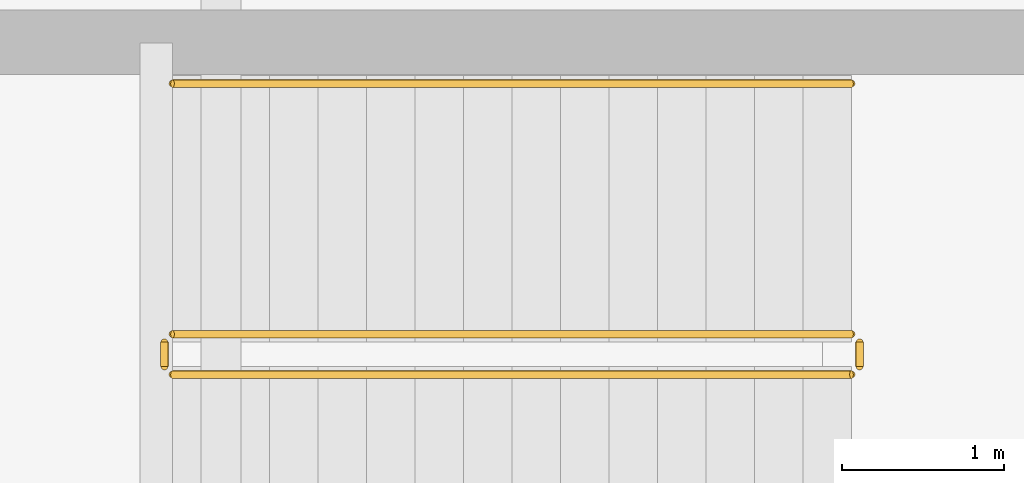
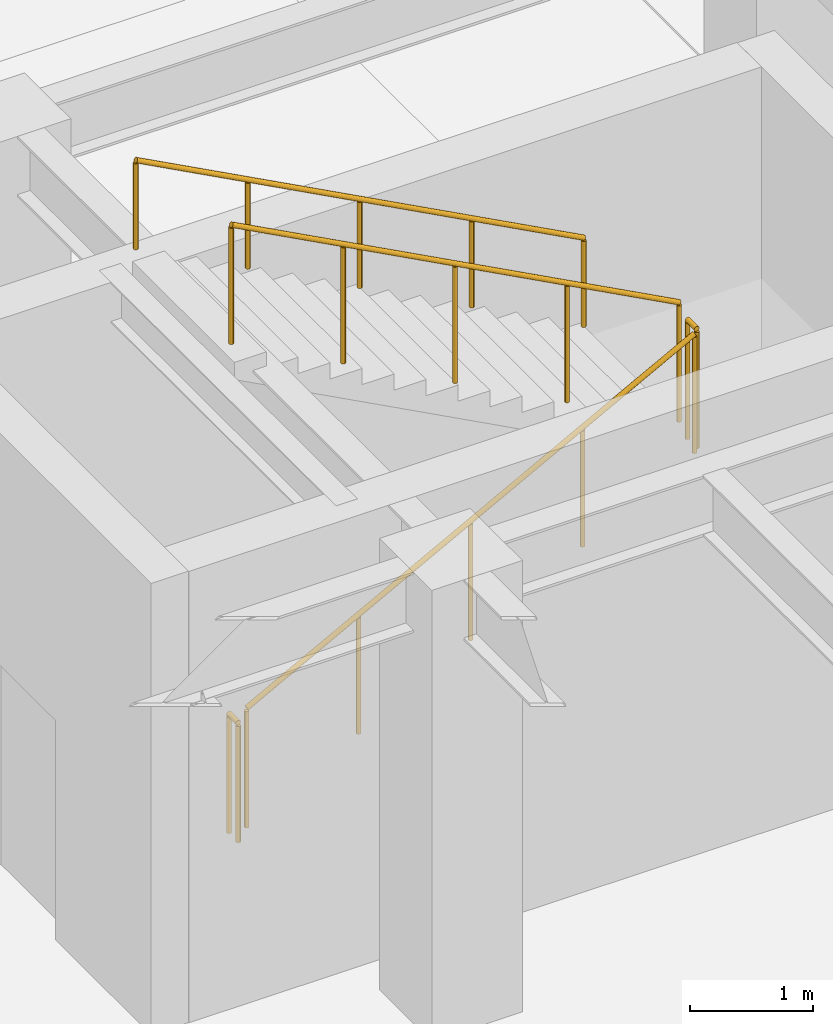
# One storey, part 22 of 26: 5 railings.
"""IFC4 building model written with IfcOpenShell, lengths in metres."""

from ifc_helpers import new_model, si_unit, direction, frame, origin, origin_2d, place, context, subcontext, project, spatial, circle, extrude, material, type_object, element, save


model = new_model("IFC4")

# Units and contexts
model_context = context("Model", 3, precision=1e-05, world=origin(), true_north=direction((0.0, 1.0)))
body_context = subcontext(model_context, "Body", "Model", "MODEL_VIEW")
ifc_project = project(units=[si_unit("LENGTHUNIT", "METRE"), si_unit("AREAUNIT", "SQUARE_METRE"), si_unit("VOLUMEUNIT", "CUBIC_METRE"), si_unit("PLANEANGLEUNIT", "RADIAN"), si_unit("MASSUNIT", "GRAM", prefix="KILO")], contexts=[model_context])

# Site, building, storey
site_placement = place(None, origin())
site = spatial("IfcSite", under=ifc_project, at=site_placement, CompositionType="ELEMENT")
building_placement = place(site_placement, origin())
building = spatial("IfcBuilding", under=site, at=building_placement, Name="Kandorven Conservatory and Botanical Research Centre", CompositionType="ELEMENT")
storey_placement = place(building_placement, frame((0.0, 0.0, -4.800048828125)))
storey = spatial("IfcBuildingStorey", under=building, at=storey_placement, Name="B01", CompositionType="ELEMENT", Elevation=-4.800048828125)

# Railings
ifc_material_1 = material(Name="Steel S355 (IS 2062 E350)", Category="steel")
railing_type_1 = type_object("IfcRailingType", Name="StairGuard_1150", PredefinedType="BALUSTRADE", material=ifc_material_1)
railing_1_placement = place(storey_placement, frame((27.300048828125, 37.60009765625, 0.16015625)))
element("IfcRailing", 1, at=railing_1_placement, inside=storey, type_object=railing_type_1, Name="B01 ST-V2 stair guard 1", PredefinedType="BALUSTRADE", context=body_context, shape_type="SweptSolid", body=[
    extrude(circle(Radius=0.02392578125, at=origin_2d()), frame((0.0, 0.0, 1.17578125), z_axis=(0.882351521365, 0.0, 0.470590897432), x_axis=(0.0, 1.0, 0.0)), (0.0, 0.0, 1.0), 4.760009765625),
    extrude(circle(Radius=0.02099609375, at=origin_2d()), origin(), (0.0, 0.0, 1.0), 1.15185546875),
    extrude(circle(Radius=0.02099609375, at=origin_2d()), frame((1.050048828125, 0.0, 0.56005859375)), (0.0, 0.0, 1.0), 1.15185546875),
    extrude(circle(Radius=0.02099609375, at=origin_2d()), frame((2.10009765625, 0.0, 1.1201171875)), (0.0, 0.0, 1.0), 1.15185546875),
    extrude(circle(Radius=0.02099609375, at=origin_2d()), frame((3.14990234375, 0.0, 1.679931640625)), (0.0, 0.0, 1.0), 1.15185546875),
    extrude(circle(Radius=0.02099609375, at=origin_2d()), frame((4.199951171875, 0.0, 2.239990234375)), (0.0, 0.0, 1.0), 1.15185546875),
])
railing_2_placement = place(storey_placement, frame((31.550048828125, 37.64990234375, 2.400146484375)))
element("IfcRailing", 2, at=railing_2_placement, inside=storey, type_object=railing_type_1, Name="B01 ST-V2 stair guard 2", PredefinedType="BALUSTRADE", context=body_context, shape_type="SweptSolid", body=[
    extrude(circle(Radius=0.02392578125, at=origin_2d()), frame((0.0, 0.0, 1.17578125), z_axis=(0.0, 1.0, 0.0), x_axis=(-1.0, 0.0, 0.0)), (0.0, 0.0, 1.0), 0.150146484375),
    extrude(circle(Radius=0.02099609375, at=origin_2d()), origin(), (0.0, 0.0, 1.0), 1.15185546875),
    extrude(circle(Radius=0.02099609375, at=origin_2d()), frame((0.0, 0.150146484375, 0.0)), (0.0, 0.0, 1.0), 1.15185546875),
])
railing_3_placement = place(storey_placement, frame((31.5, 37.85009765625, 2.56005859375)))
element("IfcRailing", 3, at=railing_3_placement, inside=storey, type_object=railing_type_1, Name="B01 ST-V2 stair guard 3", PredefinedType="BALUSTRADE", context=body_context, shape_type="SweptSolid", body=[
    extrude(circle(Radius=0.02392578125, at=origin_2d()), frame((0.0, 0.0, 1.17578125), z_axis=(-0.882351521365, 0.0, 0.470590897432), x_axis=(0.0, -1.0, 0.0)), (0.0, 0.0, 1.0), 4.760009765625),
    extrude(circle(Radius=0.02099609375, at=origin_2d()), origin(), (0.0, 0.0, 1.0), 1.15185546875),
    extrude(circle(Radius=0.02099609375, at=origin_2d()), frame((-1.050048828125, 0.0, 0.56005859375)), (0.0, 0.0, 1.0), 1.15185546875),
    extrude(circle(Radius=0.02099609375, at=origin_2d()), frame((-2.10009765625, 0.0, 1.1201171875)), (0.0, 0.0, 1.0), 1.15185546875),
    extrude(circle(Radius=0.02099609375, at=origin_2d()), frame((-3.14990234375, 0.0, 1.679931640625)), (0.0, 0.0, 1.0), 1.15185546875),
    extrude(circle(Radius=0.02099609375, at=origin_2d()), frame((-4.199951171875, 0.0, 2.239990234375)), (0.0, 0.0, 1.0), 1.15185546875),
])
railing_4_placement = place(storey_placement, frame((27.25, 37.64990234375, 0.0)))
element("IfcRailing", 4, at=railing_4_placement, inside=storey, type_object=railing_type_1, Name="B01 ST-V2 stair guard 4", PredefinedType="BALUSTRADE", context=body_context, shape_type="SweptSolid", body=[
    extrude(circle(Radius=0.02392578125, at=origin_2d()), frame((0.0, 0.0, 1.17578125), z_axis=(0.0, 1.0, 0.0), x_axis=(-1.0, 0.0, 0.0)), (0.0, 0.0, 1.0), 0.150146484375),
    extrude(circle(Radius=0.02099609375, at=origin_2d()), origin(), (0.0, 0.0, 1.0), 1.15185546875),
    extrude(circle(Radius=0.02099609375, at=origin_2d()), frame((0.0, 0.150146484375, 0.0)), (0.0, 0.0, 1.0), 1.15185546875),
])
ifc_material_2 = material(Name="Steel S355 (IS 2062 E350)", Category="steel")
railing_type_2 = type_object("IfcRailingType", Name="StairHandrail_900", PredefinedType="HANDRAIL", material=ifc_material_2)
railing_5_placement = place(storey_placement, frame((31.5, 39.39990234375, 2.56005859375)))
element("IfcRailing", 5, at=railing_5_placement, inside=storey, type_object=railing_type_2, Name="B01 ST-V2 stair handrail 2", PredefinedType="HANDRAIL", context=body_context, shape_type="SweptSolid", body=[
    extrude(circle(Radius=0.02392578125, at=origin_2d()), frame((0.0, 0.0, 0.8759765625), z_axis=(-0.882351521365, 0.0, 0.470590897432), x_axis=(0.0, -1.0, 0.0)), (0.0, 0.0, 1.0), 4.760009765625),
    extrude(circle(Radius=0.02099609375, at=origin_2d()), origin(), (0.0, 0.0, 1.0), 0.851806640625),
    extrude(circle(Radius=0.02099609375, at=origin_2d()), frame((-1.050048828125, 0.0, 0.56005859375)), (0.0, 0.0, 1.0), 0.851806640625),
    extrude(circle(Radius=0.02099609375, at=origin_2d()), frame((-2.10009765625, 0.0, 1.1201171875)), (0.0, 0.0, 1.0), 0.851806640625),
    extrude(circle(Radius=0.02099609375, at=origin_2d()), frame((-3.14990234375, 0.0, 1.679931640625)), (0.0, 0.0, 1.0), 0.851806640625),
    extrude(circle(Radius=0.02099609375, at=origin_2d()), frame((-4.199951171875, 0.0, 2.239990234375)), (0.0, 0.0, 1.0), 0.851806640625),
])

save(model, "model.ifc")
